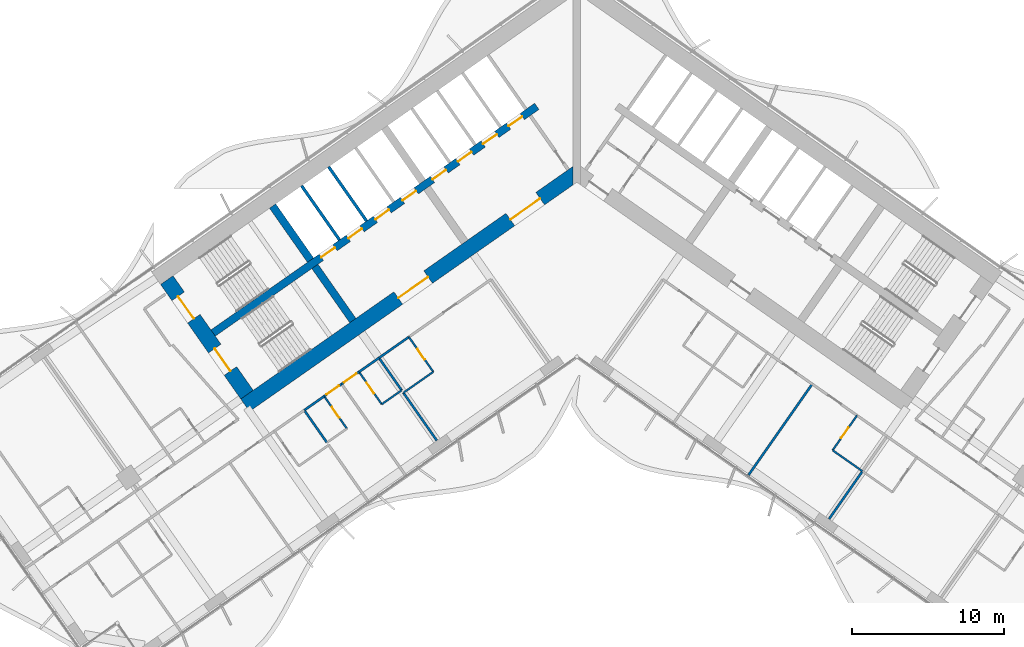
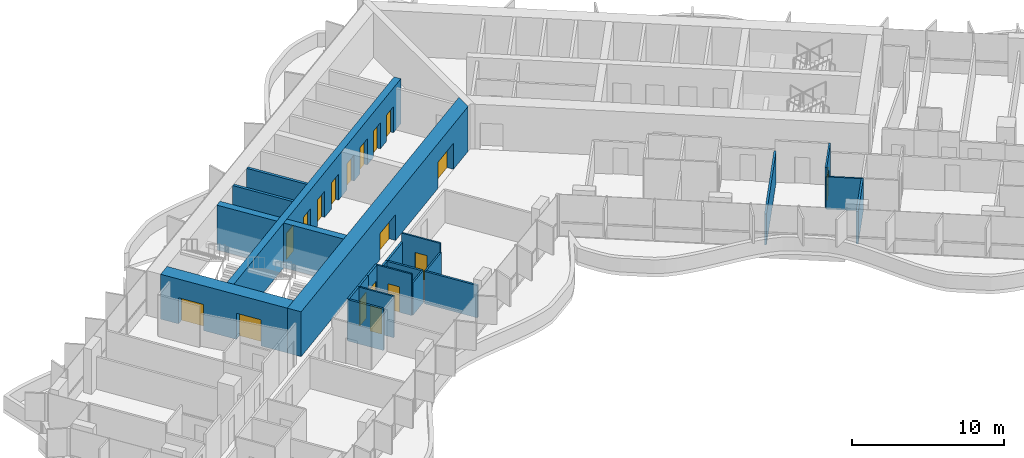
# One storey, part 13 of 23: 24 walls, 18 doors, 18 openings.
"""IFC4 building model written with IfcOpenShell, lengths in metres."""

import ifcopenshell
import ifcopenshell.guid

model = None  # the IFC model being written
_history = None  # IfcOwnerHistory: only IFC2X3 demands one
_inside = {}  # id of a spatial element -> (the spatial element, [elements in it])
_under = {}  # id of a project, library or spatial element -> (it, [spatial elements below it])
_declared = {}  # id of a project -> (the project, [libraries it declares])
_typed = {}  # id of a type object -> (the type object, [elements of that type])
_made_of = {}  # id of a material, layer set ... -> (it, [elements and type objects made of it])


def new_model(schema):
    """Start an empty IFC model of exactly this schema.

    Asked for "IFC4X3", IfcOpenShell would pick the latest addendum, in which some entities
    have other attributes; the version numbers below select the first issue.
    IFC2X3 requires an IfcOwnerHistory on every rooted entity: one is made here for all.
    """
    global model, _history
    if schema == "IFC4X3":
        model = ifcopenshell.file(schema_version=(4, 3, 0, 0))
    else:
        model = ifcopenshell.file(schema=schema)
    _inside.clear()
    _under.clear()
    _declared.clear()
    _typed.clear()
    _made_of.clear()
    _history = None
    if model.schema == "IFC2X3":
        org = make("IfcOrganization", Name="unknown")
        user = make(
            "IfcPersonAndOrganization",
            ThePerson=make("IfcPerson", FamilyName="unknown"),
            TheOrganization=org,
        )
        app = make(
            "IfcApplication",
            ApplicationDeveloper=org,
            Version="unknown",
            ApplicationFullName="unknown",
            ApplicationIdentifier="unknown",
        )
        _history = make(
            "IfcOwnerHistory",
            OwningUser=user,
            OwningApplication=app,
            ChangeAction="ADDED",
            CreationDate=0,
        )
    return model


def make(cls, **values):
    """One entity of the class cls with the attributes given. An attribute that is None is left unset."""
    return model.create_entity(
        cls, **{name: value for name, value in values.items() if value is not None}
    )


def rooted(cls, **values):
    """An entity with a GlobalId (a new one), such as an element, a storey or a relation."""
    return make(cls, GlobalId=ifcopenshell.guid.new(), OwnerHistory=_history, **values)


def si_unit(unit_type, name, prefix=None):
    """IfcSIUnit, for example si_unit("LENGTHUNIT", "METRE", prefix="MILLI")."""
    return make("IfcSIUnit", UnitType=unit_type, Prefix=prefix, Name=name)


def assignment(units):
    """IfcUnitAssignment: the units of a project."""
    return None if units is None else make("IfcUnitAssignment", Units=units)


def point(xyz):
    """IfcCartesianPoint."""
    return None if xyz is None else make("IfcCartesianPoint", Coordinates=xyz)


def direction(xyz):
    """IfcDirection."""
    return None if xyz is None else make("IfcDirection", DirectionRatios=xyz)


def frame(location, z_axis=None, x_axis=None):
    """IfcAxis2Placement3D, a coordinate frame: its origin and axes. An axis left out is left unset."""
    return make(
        "IfcAxis2Placement3D",
        Location=point(location),
        Axis=direction(z_axis),
        RefDirection=direction(x_axis),
    )


def frame_2d(location, x_axis=None):
    """IfcAxis2Placement2D, a coordinate frame in the plane: its origin and x axis."""
    return make(
        "IfcAxis2Placement2D", Location=point(location), RefDirection=direction(x_axis)
    )


def origin():
    """The frame at (0, 0, 0) with its axes left unset."""
    return frame((0.0, 0.0, 0.0))


def place(relative_to, where):
    """IfcLocalPlacement: puts the frame where relative to a parent placement (None: the world)."""
    return make(
        "IfcLocalPlacement", PlacementRelTo=relative_to, RelativePlacement=where
    )


def context(
    kind, dimensions, precision=None, world=None, true_north=None, identifier=None
):
    """IfcGeometricRepresentationContext, for example the 3D "Model" context."""
    return make(
        "IfcGeometricRepresentationContext",
        ContextIdentifier=identifier,
        ContextType=kind,
        CoordinateSpaceDimension=dimensions,
        Precision=precision,
        WorldCoordinateSystem=world,
        TrueNorth=true_north,
    )


def subcontext(parent, identifier, kind, view, scale=None):
    """IfcGeometricRepresentationSubContext, for example "Body" below "Model"."""
    return make(
        "IfcGeometricRepresentationSubContext",
        ContextIdentifier=identifier,
        ContextType=kind,
        ParentContext=parent,
        TargetScale=scale,
        TargetView=view,
    )


def project(units=None, contexts=None):
    """IfcProject with its units and contexts."""
    return rooted(
        "IfcProject",
        Name="project",
        RepresentationContexts=contexts,
        UnitsInContext=assignment(units),
    )


def spatial(cls, under=None, at=None, **own):
    """A site, building, storey or space (cls), placed at a placement, below another one or the project."""
    s = rooted(cls, ObjectPlacement=at, **own)
    if under is not None:
        _under.setdefault(under.id(), (under, []))[1].append(s)
    return s


def polyline(points):
    """IfcPolyline through the points."""
    return make("IfcPolyline", Points=[point(p) for p in points])


def profile(cls, at=None, kind="AREA", **sizes):
    """A parametric profile (cls). Its sizes go by their IFC names, for example OverallWidth=200.0."""
    return make(cls, ProfileType=kind, Position=at, **sizes)


def rectangle(**sizes):
    """IfcRectangleProfileDef."""
    return profile("IfcRectangleProfileDef", **sizes)


def outline(outer, holes=None, kind="AREA"):
    """IfcArbitraryClosedProfileDef: a profile drawn as a closed curve; with holes, ...WithVoids."""
    if holes is None:
        return make("IfcArbitraryClosedProfileDef", ProfileType=kind, OuterCurve=outer)
    return make(
        "IfcArbitraryProfileDefWithVoids",
        ProfileType=kind,
        OuterCurve=outer,
        InnerCurves=holes,
    )


def extrude(swept, where, along, depth):
    """IfcExtrudedAreaSolid: the profile swept, set in the frame where, extruded along a direction by depth."""
    return make(
        "IfcExtrudedAreaSolid",
        SweptArea=swept,
        Position=where,
        ExtrudedDirection=direction(along),
        Depth=depth,
    )


def shape(context_of_items, identifier, shape_type, items):
    """IfcShapeRepresentation: the items that make up one representation, for example the "Body"."""
    return make(
        "IfcShapeRepresentation",
        ContextOfItems=context_of_items,
        RepresentationIdentifier=identifier,
        RepresentationType=shape_type,
        Items=items,
    )


def material(Name=None, Category=None):
    """IfcMaterial."""
    return make("IfcMaterial", Name=Name, Category=Category)


def layer(
    of_material, thickness, ventilated=None, Name=None, Category=None, Priority=None
):
    """IfcMaterialLayer: one layer of a wall or slab, of a material (None: an air gap)."""
    return make(
        "IfcMaterialLayer",
        Material=of_material,
        LayerThickness=thickness,
        IsVentilated=ventilated,
        Name=Name,
        Category=Category,
        Priority=Priority,
    )


def layer_set(layers, Name=None):
    """IfcMaterialLayerSet."""
    return make("IfcMaterialLayerSet", MaterialLayers=layers, LayerSetName=Name)


def made_of(thing, what):
    """Note that an element or type object is made of a material, layer set ...; save() writes the relation."""
    if what is not None:
        _made_of.setdefault(what.id(), (what, []))[1].append(thing)
    return thing


def type_object(cls, material=None, **own):
    """A type object (cls), such as IfcWallType, which elements share."""
    return made_of(rooted(cls, **own), material)


def element(
    cls,
    number,
    at=None,
    inside=None,
    cuts=None,
    type_object=None,
    material=None,
    context=None,
    identifier="Body",
    shape_type=None,
    held_by="IfcProductDefinitionShape",
    body=None,
    shapes=None,
    **own,
):
    """One element of the class cls, such as IfcWall. Its Tag is "e" and its number.

    at: its placement. inside: the storey or other place that contains it. cuts: it is an
    opening in that element (IfcRelVoidsElement). A single representation is given by context,
    identifier, shape_type and body (its items); several are given by shapes. held_by: the class
    of the entity that holds the representations. save() writes the other relations.
    """
    e = rooted(cls, Tag="e%d" % number, ObjectPlacement=at, **own)
    if body is not None:
        shapes = [shape(context, identifier, shape_type, body)]
    if shapes is not None:
        e.Representation = make(held_by, Representations=shapes)
    if inside is not None:
        _inside.setdefault(inside.id(), (inside, []))[1].append(e)
    if cuts is not None:
        rooted(
            "IfcRelVoidsElement", RelatingBuildingElement=cuts, RelatedOpeningElement=e
        )
    if type_object is not None:
        _typed.setdefault(type_object.id(), (type_object, []))[1].append(e)
    return made_of(e, material)


def fill(opening, filler):
    """IfcRelFillsElement: the door or window that sits in an opening."""
    return rooted(
        "IfcRelFillsElement",
        RelatingOpeningElement=opening,
        RelatedBuildingElement=filler,
    )


def aggregate(whole, parts):
    """IfcRelAggregates: a whole, such as a stair, and the parts it consists of."""
    return rooted("IfcRelAggregates", RelatingObject=whole, RelatedObjects=parts)


def save(model, path):
    """Write the relations noted so far, then the file.

    IfcRelAggregates (storeys below a building ...), IfcRelContainedInSpatialStructure (elements
    in a storey), IfcRelDefinesByType, IfcRelAssociatesMaterial and IfcRelDeclares: one each for
    every whole, place, type object, material and project.
    """
    for whole, parts in _under.values():
        aggregate(whole, parts)
    for where, things in _inside.values():
        rooted(
            "IfcRelContainedInSpatialStructure",
            RelatedElements=things,
            RelatingStructure=where,
        )
    for kind, things in _typed.values():
        rooted("IfcRelDefinesByType", RelatedObjects=things, RelatingType=kind)
    for what, things in _made_of.values():
        rooted("IfcRelAssociatesMaterial", RelatedObjects=things, RelatingMaterial=what)
    for by, libraries in _declared.values():
        rooted("IfcRelDeclares", RelatingContext=by, RelatedDefinitions=libraries)
    model.write(path)


model = new_model("IFC4")

# Units and contexts
model_context = context("Model", 3, precision=1e-05, world=origin(), true_north=direction((0.0, 1.0)))
body_context = subcontext(model_context, "Body", "Model", "MODEL_VIEW")
ifc_project = project(units=[si_unit("LENGTHUNIT", "METRE"), si_unit("AREAUNIT", "SQUARE_METRE"), si_unit("VOLUMEUNIT", "CUBIC_METRE"), si_unit("PLANEANGLEUNIT", "RADIAN"), si_unit("MASSUNIT", "GRAM", prefix="KILO")], contexts=[model_context])

# Site, building, storey
site_placement = place(None, origin())
site = spatial("IfcSite", under=ifc_project, at=site_placement, CompositionType="ELEMENT")
building_placement = place(site_placement, origin())
building = spatial("IfcBuilding", under=site, at=building_placement, Name="Tel Ilan Convention Tower", CompositionType="ELEMENT")
storey_placement = place(building_placement, frame((0.0, 0.0, 104.89990234375)))
storey = spatial("IfcBuildingStorey", under=building, at=storey_placement, Name="L22", CompositionType="ELEMENT", Elevation=104.89990234375)

# Wall, openings, doors
ifc_material_1 = material(Name="Concrete C60/75", Category="concrete")
ifc_layer_1 = layer(ifc_material_1, 1.0)
ifc_layer_set_1 = layer_set([ifc_layer_1], Name="Core Shear Wall 1000 mm C60/75")
wall_type_1 = type_object("IfcWallType", Name="Core Shear Wall 1000 mm C60/75", PredefinedType="SHEAR", material=ifc_layer_set_1)
wall_1_placement = place(storey_placement, frame((0.036865234375, -0.584716796875, 0.0), z_axis=(0.0, 0.0, 1.0), x_axis=(-0.819157152511, -0.573569140985, 0.0)))
wall_1 = element("IfcWall", 1, at=wall_1_placement, inside=storey, type_object=wall_type_1, Name="L22 core wall W-front", PredefinedType="SHEAR", context=body_context, shape_type="SweptSolid", body=[
    extrude(outline(polyline([(26.69482421875, 0.500244140625), (0.7001953125, 0.499755859375), (0.0, -0.5), (26.69482421875, -0.499755859375), (26.69482421875, 0.500244140625)])), origin(), (0.0, 0.0, 1.0), 3.60009765625),
])
opening_1_placement = place(wall_1_placement, frame((2.994873046875, 0.0, 0.0)))
opening_1 = element("IfcOpeningElement", 2, at=opening_1_placement, cuts=wall_1, Name="Opening CD1905", PredefinedType="OPENING", context=body_context, shape_type="SweptSolid", body=[
    extrude(rectangle(XDim=2.39990234375, YDim=2.10009765625, at=frame_2d((1.199951171875, 1.050048828125))), frame((0.0, 0.510009765625, 0.0), z_axis=(0.0, -1.0, 0.0), x_axis=(1.0, 0.0, 0.0)), (0.0, 0.0, 1.0), 1.02001953125),
])
opening_2_placement = place(wall_1_placement, frame((11.994873046875, 0.0, 0.0)))
opening_2 = element("IfcOpeningElement", 3, at=opening_2_placement, cuts=wall_1, Name="Opening CD1906", PredefinedType="OPENING", context=body_context, shape_type="SweptSolid", body=[
    extrude(rectangle(XDim=2.39990234375, YDim=2.10009765625, at=frame_2d((1.199951171875, 1.050048828125))), frame((0.0, 0.510009765625, 0.0), z_axis=(0.0, -1.0, 0.0), x_axis=(1.0, 0.0, 0.0)), (0.0, 0.0, 1.0), 1.02001953125),
])
ifc_material_2 = material(Name="Glazed Aluminium Door Leaf", Category="aluminium")
door_type_1 = type_object("IfcDoorType", Name="Lobby Opening Door 2400 x 2100 FD60S", OperationType="NOTDEFINED", PredefinedType="DOOR", material=ifc_material_2)
door_1_placement = place(opening_1_placement, origin())
door_1 = element("IfcDoor", 4, at=door_1_placement, inside=storey, type_object=door_type_1, Name="Lift Lobby LR1-LR4 opening", OperationType="DOUBLE_DOOR_SINGLE_SWING", OverallHeight=2.10009765625, OverallWidth=2.39990234375, PredefinedType="DOOR", context=body_context, shape_type="SweptSolid", body=[
    extrude(rectangle(XDim=2.39990234375, YDim=2.10009765625, at=frame_2d((1.199951171875, 1.050048828125))), frame((0.0, 0.02490234375, 0.0), z_axis=(0.0, -1.0, 0.0), x_axis=(1.0, 0.0, 0.0)), (0.0, 0.0, 1.0), 0.050048828125),
])
fill(opening_1, door_1)
door_2_placement = place(opening_2_placement, origin())
door_2 = element("IfcDoor", 5, at=door_2_placement, inside=storey, type_object=door_type_1, Name="Lift Lobby LR5-LR8 opening", OperationType="DOUBLE_DOOR_SINGLE_SWING", OverallHeight=2.10009765625, OverallWidth=2.39990234375, PredefinedType="DOOR", context=body_context, shape_type="SweptSolid", body=[
    extrude(rectangle(XDim=2.39990234375, YDim=2.10009765625, at=frame_2d((1.199951171875, 1.050048828125))), frame((0.0, 0.02490234375, 0.0), z_axis=(0.0, -1.0, 0.0), x_axis=(1.0, 0.0, 0.0)), (0.0, 0.0, 1.0), 0.050048828125),
])
fill(opening_2, door_2)

wall_2_placement = place(storey_placement, frame((-21.70751953125, -15.19970703125, 0.0), z_axis=(0.0, 0.0, 1.0), x_axis=(-0.573576324356, 0.819152122709, 0.0)))
wall_2 = element("IfcWall", 6, at=wall_2_placement, inside=storey, type_object=wall_type_1, Name="L22 core wall W-end", PredefinedType="SHEAR", context=body_context, shape_type="SweptSolid", body=[
    extrude(outline(polyline([(0.0, 0.5), (0.0, -0.5), (9.199951171875, -0.5), (9.199951171875, 0.5), (0.0, 0.5)])), origin(), (0.0, 0.0, 1.0), 3.60009765625),
])
opening_3_placement = place(wall_2_placement, frame((6.10009765625, 0.0, 0.0)))
opening_3 = element("IfcOpeningElement", 7, at=opening_3_placement, cuts=wall_2, Name="Opening SD1901", PredefinedType="OPENING", context=body_context, shape_type="SweptSolid", body=[
    extrude(rectangle(XDim=1.800048828125, YDim=2.10009765625, at=frame_2d((0.89990234375, 1.050048828125))), frame((0.0, 0.510009765625, 0.0), z_axis=(0.0, -1.0, 0.0), x_axis=(1.0, 0.0, 0.0)), (0.0, 0.0, 1.0), 1.02001953125),
])
opening_4_placement = place(wall_2_placement, frame((1.89990234375, 0.0, 0.0)))
opening_4 = element("IfcOpeningElement", 8, at=opening_4_placement, cuts=wall_2, Name="Opening SD1902", PredefinedType="OPENING", context=body_context, shape_type="SweptSolid", body=[
    extrude(rectangle(XDim=1.800048828125, YDim=2.10009765625, at=frame_2d((0.89990234375, 1.050048828125))), frame((0.0, 0.510009765625, 0.0), z_axis=(0.0, -1.0, 0.0), x_axis=(1.0, 0.0, 0.0)), (0.0, 0.0, 1.0), 1.02001953125),
])
ifc_material_3 = material(Name="Galvanised Steel Door Leaf", Category="steel")
door_type_2 = type_object("IfcDoorType", Name="Stair Fire Door 1800 x 2100 FD60S", OperationType="NOTDEFINED", PredefinedType="DOOR", material=ifc_material_3)
door_3_placement = place(opening_3_placement, origin())
door_3 = element("IfcDoor", 9, at=door_3_placement, inside=storey, type_object=door_type_2, Name="Stair S1 door", OperationType="DOUBLE_DOOR_SINGLE_SWING", OverallHeight=2.10009765625, OverallWidth=1.800048828125, PredefinedType="DOOR", context=body_context, shape_type="SweptSolid", body=[
    extrude(rectangle(XDim=1.800048828125, YDim=2.10009765625, at=frame_2d((0.89990234375, 1.050048828125))), frame((0.0, 0.02490234375, 0.0), z_axis=(0.0, -1.0, 0.0), x_axis=(1.0, 0.0, 0.0)), (0.0, 0.0, 1.0), 0.050048828125),
])
fill(opening_3, door_3)
door_4_placement = place(opening_4_placement, origin())
door_4 = element("IfcDoor", 10, at=door_4_placement, inside=storey, type_object=door_type_2, Name="Stair S2 door", OperationType="DOUBLE_DOOR_SINGLE_SWING", OverallHeight=2.10009765625, OverallWidth=1.800048828125, PredefinedType="DOOR", context=body_context, shape_type="SweptSolid", body=[
    extrude(rectangle(XDim=1.800048828125, YDim=2.10009765625, at=frame_2d((0.89990234375, 1.050048828125))), frame((0.0, 0.02490234375, 0.0), z_axis=(0.0, -1.0, 0.0), x_axis=(1.0, 0.0, 0.0)), (0.0, 0.0, 1.0), 0.050048828125),
])
fill(opening_4, door_4)

# Walls
ifc_material_4 = material(Name="Concrete C60/75", Category="concrete")
ifc_layer_2 = layer(ifc_material_4, 0.5)
ifc_layer_set_2 = layer_set([ifc_layer_2], Name="Core Shear Wall 500 mm C60/75")
wall_type_2 = type_object("IfcWallType", Name="Core Shear Wall 500 mm C60/75", PredefinedType="SHEAR", material=ifc_layer_set_2)
wall_3_placement = place(storey_placement, frame((-14.74462890625, -10.324462890625, 0.0), z_axis=(0.0, 0.0, 1.0), x_axis=(-0.57356780395, 0.819158088694, 0.0)))
element("IfcWall", 11, at=wall_3_placement, inside=storey, type_object=wall_type_2, Name="L22 core wall W-cross2-1", PredefinedType="SHEAR", context=body_context, shape_type="SweptSolid", body=[
    extrude(outline(polyline([(4.35009765625, 0.250244140625), (0.0, 0.25), (0.0, -0.25), (4.35009765625, -0.25), (4.35009765625, 0.250244140625)])), origin(), (0.0, 0.0, 1.0), 3.60009765625),
])
wall_4_placement = place(storey_placement, frame((-17.526611328125, -6.3515625, 0.0), z_axis=(0.0, 0.0, 1.0), x_axis=(-0.573530143085, 0.819184457233, 0.0)))
element("IfcWall", 12, at=wall_4_placement, inside=storey, type_object=wall_type_2, Name="L22 core wall W-cross2-2", PredefinedType="SHEAR", context=body_context, shape_type="SweptSolid", body=[
    extrude(outline(polyline([(4.35009765625, -0.249755859375), (4.35009765625, 0.250244140625), (0.0, 0.25), (0.0, -0.25), (4.35009765625, -0.249755859375)])), origin(), (0.0, 0.0, 1.0), 3.60009765625),
])

# Wall, openings, doors
wall_5_placement = place(storey_placement, frame((-2.638427734375, 3.76806640625, 0.0), z_axis=(0.0, 0.0, 1.0), x_axis=(-0.819148977158, -0.573580816643, 0.0)))
wall_5 = element("IfcWall", 13, at=wall_5_placement, inside=storey, type_object=wall_type_2, Name="L22 core wall W-spine", PredefinedType="SHEAR", context=body_context, shape_type="SweptSolid", body=[
    extrude(outline(polyline([(26.0, 0.249755859375), (0.0, 0.25), (0.0, -0.25), (26.0, -0.250244140625), (26.0, 0.249755859375)])), origin(), (0.0, 0.0, 1.0), 3.60009765625),
])
opening_5_placement = place(wall_5_placement, frame((1.168701171875, 0.0, 0.0)))
opening_5 = element("IfcOpeningElement", 14, at=opening_5_placement, cuts=wall_5, Name="Opening LD1904", PredefinedType="OPENING", context=body_context, shape_type="SweptSolid", body=[
    extrude(rectangle(XDim=1.10009765625, YDim=2.10009765625, at=frame_2d((0.550048828125, 1.050048828125))), frame((0.0, 0.260009765625, 0.0), z_axis=(0.0, -1.0, 0.0), x_axis=(1.0, 0.0, 0.0)), (0.0, 0.0, 1.0), 0.52001953125),
])
opening_6_placement = place(wall_5_placement, frame((3.206298828125, 0.0, 0.0)))
opening_6 = element("IfcOpeningElement", 15, at=opening_6_placement, cuts=wall_5, Name="Opening LD1905", PredefinedType="OPENING", context=body_context, shape_type="SweptSolid", body=[
    extrude(rectangle(XDim=1.10009765625, YDim=2.10009765625, at=frame_2d((0.550048828125, 1.050048828125))), frame((0.0, 0.260009765625, 0.0), z_axis=(0.0, -1.0, 0.0), x_axis=(1.0, 0.0, 0.0)), (0.0, 0.0, 1.0), 0.52001953125),
])
opening_7_placement = place(wall_5_placement, frame((5.24365234375, 0.0, 0.0)))
opening_7 = element("IfcOpeningElement", 16, at=opening_7_placement, cuts=wall_5, Name="Opening LD1906", PredefinedType="OPENING", context=body_context, shape_type="SweptSolid", body=[
    extrude(rectangle(XDim=1.10009765625, YDim=2.10009765625, at=frame_2d((0.550048828125, 1.050048828125))), frame((0.0, 0.260009765625, 0.0), z_axis=(0.0, -1.0, 0.0), x_axis=(1.0, 0.0, 0.0)), (0.0, 0.0, 1.0), 0.52001953125),
])
opening_8_placement = place(wall_5_placement, frame((7.28125, 0.0, 0.0)))
opening_8 = element("IfcOpeningElement", 17, at=opening_8_placement, cuts=wall_5, Name="Opening LD1907", PredefinedType="OPENING", context=body_context, shape_type="SweptSolid", body=[
    extrude(rectangle(XDim=1.10009765625, YDim=2.10009765625, at=frame_2d((0.550048828125, 1.050048828125))), frame((0.0, 0.260009765625, 0.0), z_axis=(0.0, -1.0, 0.0), x_axis=(1.0, 0.0, 0.0)), (0.0, 0.0, 1.0), 0.52001953125),
])
opening_9_placement = place(wall_5_placement, frame((9.6875, 0.0, 0.0)))
opening_9 = element("IfcOpeningElement", 18, at=opening_9_placement, cuts=wall_5, Name="Opening LD1908", PredefinedType="OPENING", context=body_context, shape_type="SweptSolid", body=[
    extrude(rectangle(XDim=1.10009765625, YDim=2.10009765625, at=frame_2d((0.550048828125, 1.050048828125))), frame((0.0, 0.260009765625, 0.0), z_axis=(0.0, -1.0, 0.0), x_axis=(1.0, 0.0, 0.0)), (0.0, 0.0, 1.0), 0.52001953125),
])
opening_10_placement = place(wall_5_placement, frame((11.862548828125, 0.0, 0.0)))
opening_10 = element("IfcOpeningElement", 19, at=opening_10_placement, cuts=wall_5, Name="Opening LD1909", PredefinedType="OPENING", context=body_context, shape_type="SweptSolid", body=[
    extrude(rectangle(XDim=1.10009765625, YDim=2.10009765625, at=frame_2d((0.550048828125, 1.050048828125))), frame((0.0, 0.260009765625, 0.0), z_axis=(0.0, -1.0, 0.0), x_axis=(1.0, 0.0, 0.0)), (0.0, 0.0, 1.0), 0.52001953125),
])
opening_11_placement = place(wall_5_placement, frame((14.03759765625, 0.0, 0.0)))
opening_11 = element("IfcOpeningElement", 20, at=opening_11_placement, cuts=wall_5, Name="Opening LD1910", PredefinedType="OPENING", context=body_context, shape_type="SweptSolid", body=[
    extrude(rectangle(XDim=1.10009765625, YDim=2.10009765625, at=frame_2d((0.550048828125, 1.050048828125))), frame((0.0, 0.260009765625, 0.0), z_axis=(0.0, -1.0, 0.0), x_axis=(1.0, 0.0, 0.0)), (0.0, 0.0, 1.0), 0.52001953125),
])
opening_12_placement = place(wall_5_placement, frame((16.21240234375, 0.0, 0.0)))
opening_12 = element("IfcOpeningElement", 21, at=opening_12_placement, cuts=wall_5, Name="Opening LD1911", PredefinedType="OPENING", context=body_context, shape_type="SweptSolid", body=[
    extrude(rectangle(XDim=1.10009765625, YDim=2.10009765625, at=frame_2d((0.550048828125, 1.050048828125))), frame((0.0, 0.260009765625, 0.0), z_axis=(0.0, -1.0, 0.0), x_axis=(1.0, 0.0, 0.0)), (0.0, 0.0, 1.0), 0.52001953125),
])
ifc_material_5 = material(Name="Stainless Steel Sliding Door Leaf", Category="steel")
door_type_3 = type_object("IfcDoorType", Name="Lift Landing Door 1100 x 2100 FD120", OperationType="NOTDEFINED", PredefinedType="DOOR", material=ifc_material_5)
door_5_placement = place(opening_5_placement, origin())
door_5 = element("IfcDoor", 22, at=door_5_placement, inside=storey, type_object=door_type_3, Name="Lift LR1 landing door", OperationType="SLIDING_TO_LEFT", OverallHeight=2.10009765625, OverallWidth=1.10009765625, PredefinedType="DOOR", context=body_context, shape_type="SweptSolid", body=[
    extrude(rectangle(XDim=1.10009765625, YDim=2.10009765625, at=frame_2d((0.550048828125, 1.050048828125))), frame((0.0, 0.02490234375, 0.0), z_axis=(0.0, -1.0, 0.0), x_axis=(1.0, 0.0, 0.0)), (0.0, 0.0, 1.0), 0.050048828125),
])
fill(opening_5, door_5)
door_6_placement = place(opening_6_placement, origin())
door_6 = element("IfcDoor", 23, at=door_6_placement, inside=storey, type_object=door_type_3, Name="Lift LR2 landing door", OperationType="SLIDING_TO_RIGHT", OverallHeight=2.10009765625, OverallWidth=1.10009765625, PredefinedType="DOOR", context=body_context, shape_type="SweptSolid", body=[
    extrude(rectangle(XDim=1.10009765625, YDim=2.10009765625, at=frame_2d((0.550048828125, 1.050048828125))), frame((0.0, 0.02490234375, 0.0), z_axis=(0.0, -1.0, 0.0), x_axis=(1.0, 0.0, 0.0)), (0.0, 0.0, 1.0), 0.050048828125),
])
fill(opening_6, door_6)
door_7_placement = place(opening_7_placement, origin())
door_7 = element("IfcDoor", 24, at=door_7_placement, inside=storey, type_object=door_type_3, Name="Lift LR3 landing door", OperationType="SLIDING_TO_LEFT", OverallHeight=2.10009765625, OverallWidth=1.10009765625, PredefinedType="DOOR", context=body_context, shape_type="SweptSolid", body=[
    extrude(rectangle(XDim=1.10009765625, YDim=2.10009765625, at=frame_2d((0.550048828125, 1.050048828125))), frame((0.0, 0.02490234375, 0.0), z_axis=(0.0, -1.0, 0.0), x_axis=(1.0, 0.0, 0.0)), (0.0, 0.0, 1.0), 0.050048828125),
])
fill(opening_7, door_7)
door_8_placement = place(opening_8_placement, origin())
door_8 = element("IfcDoor", 25, at=door_8_placement, inside=storey, type_object=door_type_3, Name="Lift LR4 landing door", OperationType="SLIDING_TO_RIGHT", OverallHeight=2.10009765625, OverallWidth=1.10009765625, PredefinedType="DOOR", context=body_context, shape_type="SweptSolid", body=[
    extrude(rectangle(XDim=1.10009765625, YDim=2.10009765625, at=frame_2d((0.550048828125, 1.050048828125))), frame((0.0, 0.02490234375, 0.0), z_axis=(0.0, -1.0, 0.0), x_axis=(1.0, 0.0, 0.0)), (0.0, 0.0, 1.0), 0.050048828125),
])
fill(opening_8, door_8)
door_9_placement = place(opening_9_placement, origin())
door_9 = element("IfcDoor", 26, at=door_9_placement, inside=storey, type_object=door_type_3, Name="Lift LR5 landing door", OperationType="SLIDING_TO_LEFT", OverallHeight=2.10009765625, OverallWidth=1.10009765625, PredefinedType="DOOR", context=body_context, shape_type="SweptSolid", body=[
    extrude(rectangle(XDim=1.10009765625, YDim=2.10009765625, at=frame_2d((0.550048828125, 1.050048828125))), frame((0.0, 0.02490234375, 0.0), z_axis=(0.0, -1.0, 0.0), x_axis=(1.0, 0.0, 0.0)), (0.0, 0.0, 1.0), 0.050048828125),
])
fill(opening_9, door_9)
door_10_placement = place(opening_10_placement, origin())
door_10 = element("IfcDoor", 27, at=door_10_placement, inside=storey, type_object=door_type_3, Name="Lift LR6 landing door", OperationType="SLIDING_TO_RIGHT", OverallHeight=2.10009765625, OverallWidth=1.10009765625, PredefinedType="DOOR", context=body_context, shape_type="SweptSolid", body=[
    extrude(rectangle(XDim=1.10009765625, YDim=2.10009765625, at=frame_2d((0.550048828125, 1.050048828125))), frame((0.0, 0.02490234375, 0.0), z_axis=(0.0, -1.0, 0.0), x_axis=(1.0, 0.0, 0.0)), (0.0, 0.0, 1.0), 0.050048828125),
])
fill(opening_10, door_10)
door_11_placement = place(opening_11_placement, origin())
door_11 = element("IfcDoor", 28, at=door_11_placement, inside=storey, type_object=door_type_3, Name="Lift LR7 landing door", OperationType="SLIDING_TO_LEFT", OverallHeight=2.10009765625, OverallWidth=1.10009765625, PredefinedType="DOOR", context=body_context, shape_type="SweptSolid", body=[
    extrude(rectangle(XDim=1.10009765625, YDim=2.10009765625, at=frame_2d((0.550048828125, 1.050048828125))), frame((0.0, 0.02490234375, 0.0), z_axis=(0.0, -1.0, 0.0), x_axis=(1.0, 0.0, 0.0)), (0.0, 0.0, 1.0), 0.050048828125),
])
fill(opening_11, door_11)
door_12_placement = place(opening_12_placement, origin())
door_12 = element("IfcDoor", 29, at=door_12_placement, inside=storey, type_object=door_type_3, Name="Lift LR8 landing door", OperationType="SLIDING_TO_RIGHT", OverallHeight=2.10009765625, OverallWidth=1.10009765625, PredefinedType="DOOR", context=body_context, shape_type="SweptSolid", body=[
    extrude(rectangle(XDim=1.10009765625, YDim=2.10009765625, at=frame_2d((0.550048828125, 1.050048828125))), frame((0.0, 0.02490234375, 0.0), z_axis=(0.0, -1.0, 0.0), x_axis=(1.0, 0.0, 0.0)), (0.0, 0.0, 1.0), 0.050048828125),
])
fill(opening_12, door_12)

# Wall
ifc_material_6 = material(Name="Plasterboard on Steel Studs", Category="steel")
ifc_layer_3 = layer(ifc_material_6, 0.14990234375)
ifc_layer_set_3 = layer_set([ifc_layer_3], Name="Fire-rated Partition 150 EI 60")
wall_type_3 = type_object("IfcWallType", Name="Fire-rated Partition 150 EI 60", PredefinedType="PARTITIONING", material=ifc_layer_set_3)
wall_6_placement = place(storey_placement, frame((-11.056396484375, -11.404052734375, 0.0), z_axis=(0.0, 0.0, 1.0), x_axis=(-0.819146032251, -0.573585022335, 0.0)))
element("IfcWall", 30, at=wall_6_placement, inside=storey, type_object=wall_type_3, Name="Partition 023", PredefinedType="PARTITIONING", context=body_context, shape_type="SweptSolid", body=[
    extrude(rectangle(XDim=2.404052734375, YDim=0.14990234375, at=frame_2d((1.2021484375, 0.0))), origin(), (0.0, 0.0, 1.0), 2.60009765625),
])

# Wall, opening, door
wall_7_placement = place(storey_placement, frame((-14.333740234375, -13.698974609375, 0.0), z_axis=(0.0, 0.0, 1.0), x_axis=(-0.819199220913, -0.573509055252, 0.0)))
wall_7 = element("IfcWall", 31, at=wall_7_placement, inside=storey, type_object=wall_type_3, Name="Partition 024", PredefinedType="PARTITIONING", context=body_context, shape_type="SweptSolid", body=[
    extrude(rectangle(XDim=1.403076171875, YDim=0.14990234375, at=frame_2d((0.70166015625, 0.0))), origin(), (0.0, 0.0, 1.0), 3.320068359375),
])
opening_13_placement = place(wall_7_placement, frame((0.200927734375, 0.0, 0.0)))
opening_13 = element("IfcOpeningElement", 32, at=opening_13_placement, cuts=wall_7, Name="Opening L21-004", PredefinedType="OPENING", context=body_context, shape_type="SweptSolid", body=[
    extrude(rectangle(XDim=1.0, YDim=2.10009765625, at=frame_2d((0.5, 1.050048828125))), frame((0.0, 0.0849609375, 0.0), z_axis=(0.0, -1.0, 0.0), x_axis=(1.0, 0.0, 0.0)), (0.0, 0.0, 1.0), 0.169921875),
])
ifc_material_7 = material(Name="Timber Door Leaf in Steel Frame", Category="steel")
door_type_4 = type_object("IfcDoorType", Name="Hotel Room Entrance Fire Door 1000x2100", OperationType="NOTDEFINED", PredefinedType="DOOR", material=ifc_material_7)
door_13_placement = place(opening_13_placement, origin())
door_13 = element("IfcDoor", 33, at=door_13_placement, inside=storey, type_object=door_type_4, Name="Door L21-004", OperationType="SINGLE_SWING_LEFT", OverallHeight=2.10009765625, OverallWidth=1.0, PredefinedType="DOOR", context=body_context, shape_type="SweptSolid", body=[
    extrude(rectangle(XDim=1.0, YDim=2.10009765625, at=frame_2d((0.5, 1.050048828125))), frame((0.0, 0.02490234375, 0.0), z_axis=(0.0, -1.0, 0.0), x_axis=(1.0, 0.0, 0.0)), (0.0, 0.0, 1.0), 0.050048828125),
])
fill(opening_13, door_13)

# Wall
wall_8_placement = place(storey_placement, frame((-13.0224609375, -12.78076171875, 0.0), z_axis=(0.0, 0.0, 1.0), x_axis=(-0.819138938282, -0.573595153214, 0.0)))
element("IfcWall", 34, at=wall_8_placement, inside=storey, type_object=wall_type_3, Name="Partition 025", PredefinedType="PARTITIONING", context=body_context, shape_type="SweptSolid", body=[
    extrude(rectangle(XDim=1.603759765625, YDim=0.14990234375, at=frame_2d((0.8017578125, 0.0))), origin(), (0.0, 0.0, 1.0), 2.60009765625),
])

# Wall, opening, door
wall_9_placement = place(storey_placement, frame((-15.479736328125, -14.50146484375, 0.0), z_axis=(0.0, 0.0, 1.0), x_axis=(-0.819199220913, -0.573509055252, 0.0)))
wall_9 = element("IfcWall", 35, at=wall_9_placement, inside=storey, type_object=wall_type_3, Name="Partition 026", PredefinedType="PARTITIONING", context=body_context, shape_type="SweptSolid", body=[
    extrude(rectangle(XDim=1.403076171875, YDim=0.14990234375, at=frame_2d((0.70166015625, 0.0))), origin(), (0.0, 0.0, 1.0), 3.320068359375),
])
opening_14_placement = place(wall_9_placement, frame((0.201904296875, 0.0, 0.0)))
opening_14 = element("IfcOpeningElement", 36, at=opening_14_placement, cuts=wall_9, Name="Opening L21-006", PredefinedType="OPENING", context=body_context, shape_type="SweptSolid", body=[
    extrude(rectangle(XDim=1.0, YDim=2.10009765625, at=frame_2d((0.5, 1.050048828125))), frame((0.0, 0.0849609375, 0.0), z_axis=(0.0, -1.0, 0.0), x_axis=(1.0, 0.0, 0.0)), (0.0, 0.0, 1.0), 0.169921875),
])
door_14_placement = place(opening_14_placement, origin())
door_14 = element("IfcDoor", 37, at=door_14_placement, inside=storey, type_object=door_type_4, Name="Door L21-006", OperationType="SINGLE_SWING_LEFT", OverallHeight=2.10009765625, OverallWidth=1.0, PredefinedType="DOOR", context=body_context, shape_type="SweptSolid", body=[
    extrude(rectangle(XDim=1.0, YDim=2.10009765625, at=frame_2d((0.5, 1.050048828125))), frame((0.0, 0.02490234375, 0.0), z_axis=(0.0, -1.0, 0.0), x_axis=(1.0, 0.0, 0.0)), (0.0, 0.0, 1.0), 0.050048828125),
])
fill(opening_14, door_14)

# Walls
wall_10_placement = place(storey_placement, frame((-16.626708984375, -15.304443359375, 0.0), z_axis=(0.0, 0.0, 1.0), x_axis=(-0.819189013667, -0.573523634986, 0.0)))
element("IfcWall", 38, at=wall_10_placement, inside=storey, type_object=wall_type_3, Name="Partition 027", PredefinedType="PARTITIONING", context=body_context, shape_type="SweptSolid", body=[
    extrude(rectangle(XDim=1.60400390625, YDim=0.14990234375, at=frame_2d((0.802001953125, 0.0))), origin(), (0.0, 0.0, 1.0), 3.320068359375),
])
wall_11_placement = place(storey_placement, frame((15.4814453125, -14.502685546875, 0.0), z_axis=(0.0, 0.0, 1.0), x_axis=(-0.573572324301, -0.819154923562, 0.0)))
element("IfcWall", 39, at=wall_11_placement, inside=storey, type_object=wall_type_3, Name="Partition 051", PredefinedType="PARTITIONING", context=body_context, shape_type="SweptSolid", body=[
    extrude(rectangle(XDim=7.2998046875, YDim=0.14990234375, at=frame_2d((3.64990234375, 0.0))), origin(), (0.0, 0.0, 1.0), 2.5),
])
for number, where, z_axis, x_axis, name in (
    (40, (18.789794921875, -20.238525390625, 0.0), (0.0, 0.0, 1.0), (-0.573594994199, -0.819139049631, 0.0), "Partition 054"),
    (41, (-9.22119140625, -18.212890625, 0.0), (0.0, 0.0, 1.0), (-0.573594994199, 0.819139049631, 0.0), "Partition 078"),
):
    element("IfcWall", number, at=place(storey_placement, frame(where, z_axis=z_axis, x_axis=x_axis)), inside=storey, type_object=wall_type_3, Name=name, PredefinedType="PARTITIONING", context=body_context, shape_type="SweptSolid", body=[
        extrude(rectangle(XDim=3.8291015625, YDim=0.14990234375, at=frame_2d((1.91455078125, 0.0))), origin(), (0.0, 0.0, 1.0), 2.60009765625),
    ])
wall_12_placement = place(storey_placement, frame((-11.531494140625, -14.913330078125, 0.0), z_axis=(0.0, 0.0, 1.0), x_axis=(-0.573544201094, 0.819174614714, 0.0)))
element("IfcWall", 42, at=wall_12_placement, inside=storey, type_object=wall_type_3, Name="Partition 079", PredefinedType="PARTITIONING", context=body_context, shape_type="SweptSolid", body=[
    extrude(rectangle(XDim=2.60205078125, YDim=0.14990234375, at=frame_2d((1.301025390625, 0.0))), origin(), (0.0, 0.0, 1.0), 2.60009765625),
])
wall_13_placement = place(storey_placement, frame((-16.447509765625, -18.35302734375, 0.0), z_axis=(0.0, 0.0, 1.0), x_axis=(-0.573645091666, 0.819103967032, 0.0)))
element("IfcWall", 43, at=wall_13_placement, inside=storey, type_object=wall_type_3, Name="Partition 086", PredefinedType="PARTITIONING", context=body_context, shape_type="SweptSolid", body=[
    extrude(rectangle(XDim=2.599853515625, YDim=0.14990234375, at=frame_2d((1.2998046875, 0.0))), origin(), (0.0, 0.0, 1.0), 3.320068359375),
])
ifc_material_8 = material(Name="Concrete C30/37", Category="concrete")
ifc_layer_4 = layer(ifc_material_8, 0.199951171875)
ifc_layer_set_4 = layer_set([ifc_layer_4], Name="Lift Shaft Wall 200 mm C30/37")
wall_type_4 = type_object("IfcWallType", Name="Lift Shaft Wall 200 mm C30/37", PredefinedType="SOLIDWALL", material=ifc_layer_set_4)
wall_14_placement = place(storey_placement, frame((-13.84033203125, -3.7705078125, 0.0), z_axis=(0.0, 0.0, 1.0), x_axis=(-0.57356780395, 0.819158088694, 0.0)))
element("IfcWall", 44, at=wall_14_placement, inside=storey, type_object=wall_type_4, Name="L22 core wall bank-W2-p1", PredefinedType="SOLIDWALL", context=body_context, shape_type="SweptSolid", body=[
    extrude(rectangle(XDim=4.35009765625, YDim=0.199951171875, at=frame_2d((2.175048828125, 0.0))), origin(), (0.0, 0.0, 1.0), 3.60009765625),
])
wall_15_placement = place(storey_placement, frame((-15.6220703125, -5.017822265625, 0.0), z_axis=(0.0, 0.0, 1.0), x_axis=(-0.573594173421, 0.819139624372, 0.0)))
element("IfcWall", 45, at=wall_15_placement, inside=storey, type_object=wall_type_4, Name="L22 core wall bank-W2-p2", PredefinedType="SOLIDWALL", context=body_context, shape_type="SweptSolid", body=[
    extrude(rectangle(XDim=4.349853515625, YDim=0.199951171875, at=frame_2d((2.1748046875, 0.0))), origin(), (0.0, 0.0, 1.0), 3.60009765625),
])

# Wall, opening, door
ifc_material_9 = material(Name="Plasterboard on Steel Studs", Category="steel")
ifc_layer_5 = layer(ifc_material_9, 0.1201171875)
ifc_layer_set_5 = layer_set([ifc_layer_5], Name="Moisture-resistant Partition 120")
wall_type_5 = type_object("IfcWallType", Name="Moisture-resistant Partition 120", PredefinedType="PARTITIONING", material=ifc_layer_set_5)
wall_16_placement = place(storey_placement, frame((18.4296875, -16.56689453125, 0.0), z_axis=(0.0, 0.0, 1.0), x_axis=(-0.573608623498, -0.819129505664, 0.0)))
wall_16 = element("IfcWall", 46, at=wall_16_placement, inside=storey, type_object=wall_type_5, Name="Partition 052", PredefinedType="PARTITIONING", context=body_context, shape_type="SweptSolid", body=[
    extrude(rectangle(XDim=2.800048828125, YDim=0.1201171875, at=frame_2d((1.39990234375, 0.0))), origin(), (0.0, 0.0, 1.0), 3.320068359375),
])
opening_15_placement = place(wall_16_placement, frame((0.97509765625, 0.0, 0.0)))
opening_15 = element("IfcOpeningElement", 47, at=opening_15_placement, cuts=wall_16, Name="Opening L21-023", PredefinedType="OPENING", context=body_context, shape_type="SweptSolid", body=[
    extrude(rectangle(XDim=0.85009765625, YDim=2.050048828125, at=frame_2d((0.425048828125, 1.02490234375))), frame((0.0, 0.070068359375, 0.0), z_axis=(0.0, -1.0, 0.0), x_axis=(1.0, 0.0, 0.0)), (0.0, 0.0, 1.0), 0.14013671875),
])
ifc_material_10 = material(Name="Timber Door Leaf in Steel Frame", Category="steel")
door_type_5 = type_object("IfcDoorType", Name="Bathroom Timber Door 850x2050", OperationType="NOTDEFINED", PredefinedType="DOOR", material=ifc_material_10)
door_15_placement = place(opening_15_placement, origin())
door_15 = element("IfcDoor", 48, at=door_15_placement, inside=storey, type_object=door_type_5, Name="Door L21-023", OperationType="SINGLE_SWING_LEFT", OverallHeight=2.050048828125, OverallWidth=0.85009765625, PredefinedType="DOOR", context=body_context, shape_type="SweptSolid", body=[
    extrude(rectangle(XDim=0.85009765625, YDim=2.050048828125, at=frame_2d((0.425048828125, 1.02490234375))), frame((0.0, 0.02490234375, 0.0), z_axis=(0.0, -1.0, 0.0), x_axis=(1.0, 0.0, 0.0)), (0.0, 0.0, 1.0), 0.050048828125),
])
fill(opening_15, door_15)

# Walls
for number, where, z_axis, x_axis, name in (
    (49, (16.82373046875, -18.86181640625, 0.0), (0.0, 0.0, 1.0), (0.819141114317, -0.573592045652, 0.0), "Partition 053"),
    (50, (-11.41748046875, -15.076416015625, 0.0), (0.0, 0.0, 1.0), (0.819141114317, 0.573592045652, 0.0), "Partition 076"),
):
    element("IfcWall", number, at=place(storey_placement, frame(where, z_axis=z_axis, x_axis=x_axis)), inside=storey, type_object=wall_type_5, Name=name, PredefinedType="PARTITIONING", context=body_context, shape_type="SweptSolid", body=[
        extrude(rectangle(XDim=2.400146484375, YDim=0.1201171875, at=frame_2d((1.2001953125, 0.0))), origin(), (0.0, 0.0, 1.0), 2.60009765625),
    ])

# Wall, opening, door
wall_17_placement = place(storey_placement, frame((-9.451171875, -13.6982421875, 0.0), z_axis=(0.0, 0.0, 1.0), x_axis=(-0.573591086599, 0.819141785879, 0.0)))
wall_17 = element("IfcWall", 51, at=wall_17_placement, inside=storey, type_object=wall_type_5, Name="Partition 077", PredefinedType="PARTITIONING", context=body_context, shape_type="SweptSolid", body=[
    extrude(rectangle(XDim=2.7998046875, YDim=0.1201171875, at=frame_2d((1.39990234375, 0.0))), origin(), (0.0, 0.0, 1.0), 3.320068359375),
])
opening_16_placement = place(wall_17_placement, frame((0.97509765625, 0.0, 0.0)))
opening_16 = element("IfcOpeningElement", 52, at=opening_16_placement, cuts=wall_17, Name="Opening L21-001", PredefinedType="OPENING", context=body_context, shape_type="SweptSolid", body=[
    extrude(rectangle(XDim=0.85009765625, YDim=2.050048828125, at=frame_2d((0.425048828125, 1.02490234375))), frame((0.0, 0.070068359375, 0.0), z_axis=(0.0, -1.0, 0.0), x_axis=(1.0, 0.0, 0.0)), (0.0, 0.0, 1.0), 0.14013671875),
])
door_16_placement = place(opening_16_placement, origin())
door_16 = element("IfcDoor", 53, at=door_16_placement, inside=storey, type_object=door_type_5, Name="Door L21-001", OperationType="SINGLE_SWING_LEFT", OverallHeight=2.050048828125, OverallWidth=0.85009765625, PredefinedType="DOOR", context=body_context, shape_type="SweptSolid", body=[
    extrude(rectangle(XDim=0.85009765625, YDim=2.050048828125, at=frame_2d((0.425048828125, 1.02490234375))), frame((0.0, 0.02490234375, 0.0), z_axis=(0.0, -1.0, 0.0), x_axis=(1.0, 0.0, 0.0)), (0.0, 0.0, 1.0), 0.050048828125),
])
fill(opening_16, door_16)

wall_18_placement = place(storey_placement, frame((-14.33544921875, -13.7001953125, 0.0), z_axis=(0.0, 0.0, 1.0), x_axis=(0.573582085028, -0.819148089014, 0.0)))
wall_18 = element("IfcWall", 54, at=wall_18_placement, inside=storey, type_object=wall_type_5, Name="Partition 080", PredefinedType="PARTITIONING", context=body_context, shape_type="SweptSolid", body=[
    extrude(rectangle(XDim=2.599853515625, YDim=0.1201171875, at=frame_2d((1.2998046875, 0.0))), origin(), (0.0, 0.0, 1.0), 3.320068359375),
])
opening_17_placement = place(wall_18_placement, frame((0.875, 0.0, 0.0)))
opening_17 = element("IfcOpeningElement", 55, at=opening_17_placement, cuts=wall_18, Name="Opening L21-003", PredefinedType="OPENING", context=body_context, shape_type="SweptSolid", body=[
    extrude(rectangle(XDim=0.85009765625, YDim=2.050048828125, at=frame_2d((0.425048828125, 1.02490234375))), frame((0.0, 0.070068359375, 0.0), z_axis=(0.0, -1.0, 0.0), x_axis=(1.0, 0.0, 0.0)), (0.0, 0.0, 1.0), 0.14013671875),
])
door_17_placement = place(opening_17_placement, origin())
door_17 = element("IfcDoor", 56, at=door_17_placement, inside=storey, type_object=door_type_5, Name="Door L21-003", OperationType="SINGLE_SWING_RIGHT", OverallHeight=2.050048828125, OverallWidth=0.85009765625, PredefinedType="DOOR", context=body_context, shape_type="SweptSolid", body=[
    extrude(rectangle(XDim=0.85009765625, YDim=2.050048828125, at=frame_2d((0.425048828125, 1.02490234375))), frame((0.0, 0.02490234375, 0.0), z_axis=(0.0, -1.0, 0.0), x_axis=(1.0, 0.0, 0.0)), (0.0, 0.0, 1.0), 0.050048828125),
])
fill(opening_17, door_17)

# Wall
wall_19_placement = place(storey_placement, frame((-12.8427734375, -15.830078125, 0.0), z_axis=(0.0, 0.0, 1.0), x_axis=(0.81918174131, 0.573534022273, 0.0)))
element("IfcWall", 57, at=wall_19_placement, inside=storey, type_object=wall_type_5, Name="Partition 081", PredefinedType="PARTITIONING", context=body_context, shape_type="SweptSolid", body=[
    extrude(rectangle(XDim=1.60009765625, YDim=0.1201171875, at=frame_2d((0.800048828125, 0.0))), origin(), (0.0, 0.0, 1.0), 2.60009765625),
])

# Wall, opening, door
wall_20_placement = place(storey_placement, frame((-15.13623046875, -17.434814453125, 0.0), z_axis=(0.0, 0.0, 1.0), x_axis=(-0.573537965655, 0.819178980414, 0.0)))
wall_20 = element("IfcWall", 58, at=wall_20_placement, inside=storey, type_object=wall_type_5, Name="Partition 084", PredefinedType="PARTITIONING", context=body_context, shape_type="SweptSolid", body=[
    extrude(rectangle(XDim=2.60009765625, YDim=0.1201171875, at=frame_2d((1.300048828125, 0.0))), origin(), (0.0, 0.0, 1.0), 3.320068359375),
])
opening_18_placement = place(wall_20_placement, frame((0.875, 0.0, 0.0)))
opening_18 = element("IfcOpeningElement", 59, at=opening_18_placement, cuts=wall_20, Name="Opening L21-005", PredefinedType="OPENING", context=body_context, shape_type="SweptSolid", body=[
    extrude(rectangle(XDim=0.85009765625, YDim=2.050048828125, at=frame_2d((0.425048828125, 1.02490234375))), frame((0.0, 0.070068359375, 0.0), z_axis=(0.0, -1.0, 0.0), x_axis=(1.0, 0.0, 0.0)), (0.0, 0.0, 1.0), 0.14013671875),
])
door_18_placement = place(opening_18_placement, origin())
door_18 = element("IfcDoor", 60, at=door_18_placement, inside=storey, type_object=door_type_5, Name="Door L21-005", OperationType="SINGLE_SWING_RIGHT", OverallHeight=2.050048828125, OverallWidth=0.85009765625, PredefinedType="DOOR", context=body_context, shape_type="SweptSolid", body=[
    extrude(rectangle(XDim=0.85009765625, YDim=2.050048828125, at=frame_2d((0.425048828125, 1.02490234375))), frame((0.0, 0.02490234375, 0.0), z_axis=(0.0, -1.0, 0.0), x_axis=(1.0, 0.0, 0.0)), (0.0, 0.0, 1.0), 0.050048828125),
])
fill(opening_18, door_18)

save(model, "model.ifc")
